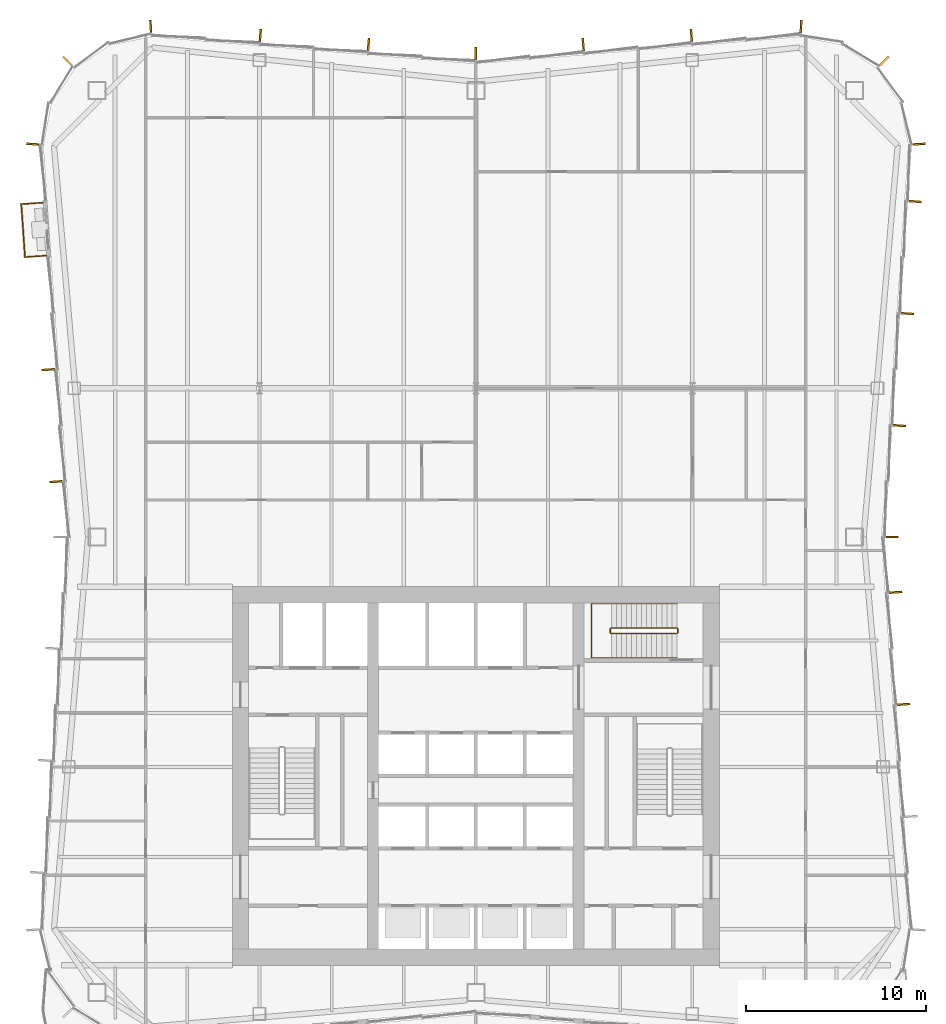
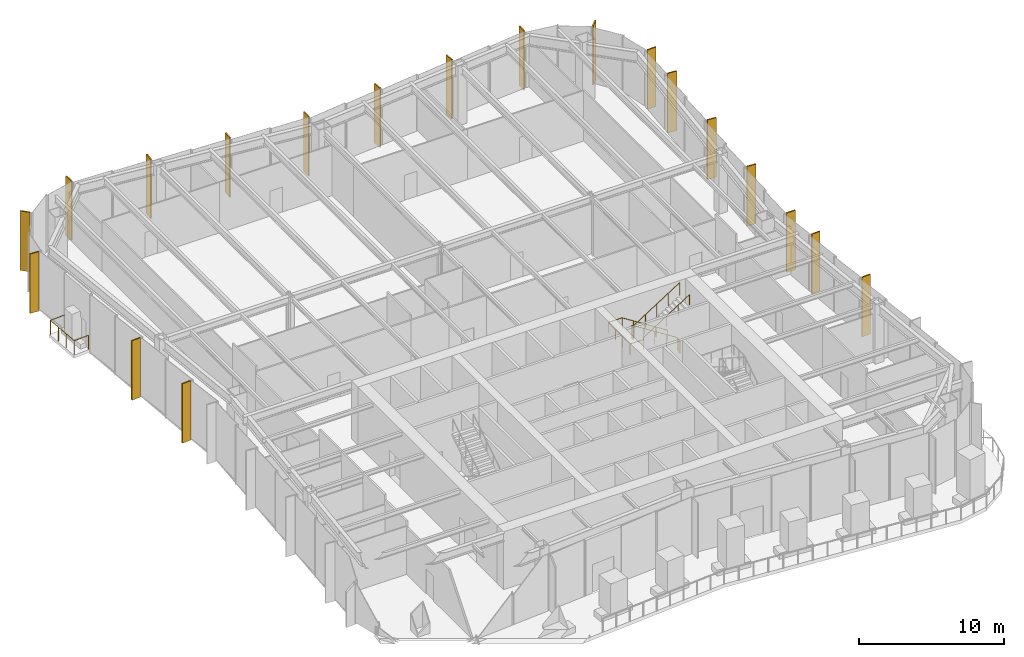
# One storey, part 14 of 16: 19 shading devices, 3 railings.
"""IFC4 building model written with IfcOpenShell, lengths in metres."""

from ifc_helpers import new_model, si_unit, direction, frame, origin, origin_2d, place, context, subcontext, project, spatial, rectangle, circle, extrude, material, layer, layer_set, type_object, element, save


model = new_model("IFC4")

# Units and contexts
model_context = context("Model", 3, precision=1e-05, world=origin(), true_north=direction((0.0, 1.0)))
body_context = subcontext(model_context, "Body", "Model", "MODEL_VIEW")
ifc_project = project(units=[si_unit("LENGTHUNIT", "METRE"), si_unit("AREAUNIT", "SQUARE_METRE"), si_unit("VOLUMEUNIT", "CUBIC_METRE"), si_unit("PLANEANGLEUNIT", "RADIAN"), si_unit("MASSUNIT", "GRAM", prefix="KILO")], contexts=[model_context])

# Site, building, storey
site_placement = place(None, origin())
site = spatial("IfcSite", under=ifc_project, at=site_placement, CompositionType="ELEMENT")
building_placement = place(site_placement, origin())
building = spatial("IfcBuilding", under=site, at=building_placement, Name="Verdant Reach Tower", CompositionType="ELEMENT")
storey_placement = place(building_placement, frame((0.0, 0.0, 177.0)))
storey = spatial("IfcBuildingStorey", under=building, at=storey_placement, Name="L40", CompositionType="ELEMENT", Elevation=177.0)

# Railings
ifc_material_1 = material(Name="Stainless steel", Category="steel")
railing_type_1 = type_object("IfcRailingType", Name="CO-GUARD", PredefinedType="GUARDRAIL", material=ifc_material_1)
railing_1_placement = place(storey_placement, frame((11.199951171875, 35.949951171875, 0.0)))
element("IfcRailing", 1, at=railing_1_placement, inside=storey, type_object=railing_type_1, Name="L40 ST-3 stair guard 1", PredefinedType="GUARDRAIL", context=body_context, shape_type="SweptSolid", body=[
    extrude(circle(Radius=0.02392578125, at=origin_2d()), frame((0.0, 0.0, 1.076171875), z_axis=(0.0, 1.0, 0.0), x_axis=(-1.0, 0.0, 0.0)), (0.0, 0.0, 1.0), 0.199951171875),
    extrude(circle(Radius=0.02392578125, at=origin_2d()), frame((0.0, 0.199951171875, 1.076171875), z_axis=(-0.260684529273, 0.260684529273, 0.929562882432), x_axis=(-0.707106781187, -0.707106781187, 0.0)), (0.0, 0.0, 1.0), 0.19189453125),
    extrude(circle(Radius=0.02392578125, at=origin_2d()), frame((-0.050048828125, 0.25, 1.25439453125), z_axis=(-0.843111507901, 0.0, 0.53773877045), x_axis=(0.0, -1.0, 0.0)), (0.0, 0.0, 1.0), 4.317138671875),
    extrude(circle(Radius=0.02392578125, at=origin_2d()), frame((-3.68994140625, 0.25, 3.576171875), z_axis=(-0.707106781187, -0.707106781187, 0.0), x_axis=(0.707106781187, -0.707106781187, 0.0)), (0.0, 0.0, 1.0), 0.07080078125),
    extrude(circle(Radius=0.02392578125, at=origin_2d()), frame((-3.739990234375, 0.199951171875, 3.576171875), z_axis=(0.0, -1.0, 0.0), x_axis=(1.0, 0.0, 0.0)), (0.0, 0.0, 1.0), 0.199951171875),
    extrude(circle(Radius=0.02392578125, at=origin_2d()), frame((-3.739990234375, 0.0, 3.576171875), z_axis=(0.260684529273, -0.260684529273, 0.929562882432), x_axis=(0.707106781187, 0.707106781187, 0.0)), (0.0, 0.0, 1.0), 0.19189453125),
    extrude(circle(Radius=0.02392578125, at=origin_2d()), frame((-3.68994140625, -0.050048828125, 3.75439453125), z_axis=(0.843111507901, 0.0, 0.53773877045), x_axis=(0.0, 1.0, 0.0)), (0.0, 0.0, 1.0), 4.317138671875),
    extrude(circle(Radius=0.02099609375, at=origin_2d()), origin(), (0.0, 0.0, 1.0), 1.052001953125),
    extrude(circle(Radius=0.02099609375, at=origin_2d()), frame((0.0, 0.199951171875, 0.0)), (0.0, 0.0, 1.0), 1.052001953125),
    extrude(circle(Radius=0.02099609375, at=origin_2d()), frame((-0.050048828125, 0.25, 0.178466796875)), (0.0, 0.0, 1.0), 1.052001953125),
    extrude(circle(Radius=0.02099609375, at=origin_2d()), frame((-0.9599609375, 0.25, 0.7587890625)), (0.0, 0.0, 1.0), 1.052001953125),
    extrude(circle(Radius=0.02099609375, at=origin_2d()), frame((-1.8701171875, 0.25, 1.33935546875)), (0.0, 0.0, 1.0), 1.052001953125),
    extrude(circle(Radius=0.02099609375, at=origin_2d()), frame((-2.780029296875, 0.25, 1.919677734375)), (0.0, 0.0, 1.0), 1.052001953125),
    extrude(circle(Radius=0.02099609375, at=origin_2d()), frame((-3.68994140625, 0.25, 2.5)), (0.0, 0.0, 1.0), 1.052001953125),
    extrude(circle(Radius=0.02099609375, at=origin_2d()), frame((-3.739990234375, 0.199951171875, 2.5)), (0.0, 0.0, 1.0), 1.052001953125),
    extrude(circle(Radius=0.02099609375, at=origin_2d()), frame((-3.739990234375, 0.0, 2.5)), (0.0, 0.0, 1.0), 1.052001953125),
    extrude(circle(Radius=0.02099609375, at=origin_2d()), frame((-3.68994140625, -0.050048828125, 2.678466796875)), (0.0, 0.0, 1.0), 1.052001953125),
    extrude(circle(Radius=0.02099609375, at=origin_2d()), frame((-2.780029296875, -0.050048828125, 3.2587890625)), (0.0, 0.0, 1.0), 1.052001953125),
    extrude(circle(Radius=0.02099609375, at=origin_2d()), frame((-1.8701171875, -0.050048828125, 3.83935546875)), (0.0, 0.0, 1.0), 1.052001953125),
    extrude(circle(Radius=0.02099609375, at=origin_2d()), frame((-0.9599609375, -0.050048828125, 4.419677734375)), (0.0, 0.0, 1.0), 1.052001953125),
    extrude(circle(Radius=0.02099609375, at=origin_2d()), frame((-0.050048828125, -0.050048828125, 5.0)), (0.0, 0.0, 1.0), 1.052001953125),
])
railing_type_2 = type_object("IfcRailingType", Name="CO-HANDRAIL", PredefinedType="HANDRAIL", material=ifc_material_1)
railing_2_placement = place(storey_placement, frame((11.14990234375, 37.550048828125, 0.178466796875)))
element("IfcRailing", 2, at=railing_2_placement, inside=storey, type_object=railing_type_2, Name="L40 ST-3 stair handrail 1", PredefinedType="HANDRAIL", context=body_context, shape_type="SweptSolid", body=[
    extrude(circle(Radius=0.02392578125, at=origin_2d()), frame((0.0, 0.0, 0.8759765625), z_axis=(-0.843111507901, 0.0, 0.53773877045), x_axis=(0.0, -1.0, 0.0)), (0.0, 0.0, 1.0), 4.317138671875),
    extrude(circle(Radius=0.02392578125, at=origin_2d()), frame((-3.639892578125, 0.0, 3.197265625), z_axis=(-1.0, 0.0, 0.0), x_axis=(0.0, -1.0, 0.0)), (0.0, 0.0, 1.0), 1.10009765625),
    extrude(circle(Radius=0.02392578125, at=origin_2d()), frame((-4.739990234375, 0.0, 3.197265625), z_axis=(0.0, -1.0, 0.0), x_axis=(1.0, 0.0, 0.0)), (0.0, 0.0, 1.0), 3.0),
    extrude(circle(Radius=0.02392578125, at=origin_2d()), frame((-4.739990234375, -3.0, 3.197265625), z_axis=(1.0, 0.0, 0.0), x_axis=(0.0, 1.0, 0.0)), (0.0, 0.0, 1.0), 1.10009765625),
    extrude(circle(Radius=0.02392578125, at=origin_2d()), frame((-3.639892578125, -3.0, 3.197265625), z_axis=(0.0, 0.0, 1.0), x_axis=(1.0, 0.0, 0.0)), (0.0, 0.0, 1.0), 0.178466796875),
    extrude(circle(Radius=0.02392578125, at=origin_2d()), frame((-3.639892578125, -3.0, 3.3759765625), z_axis=(0.843111507901, 0.0, 0.53773877045), x_axis=(0.0, 1.0, 0.0)), (0.0, 0.0, 1.0), 4.317138671875),
    extrude(circle(Radius=0.02099609375, at=origin_2d()), origin(), (0.0, 0.0, 1.0), 0.851806640625),
    extrude(circle(Radius=0.02099609375, at=origin_2d()), frame((-0.909912109375, 0.0, 0.580322265625)), (0.0, 0.0, 1.0), 0.851806640625),
    extrude(circle(Radius=0.02099609375, at=origin_2d()), frame((-1.81982421875, 0.0, 1.16064453125)), (0.0, 0.0, 1.0), 0.851806640625),
    extrude(circle(Radius=0.02099609375, at=origin_2d()), frame((-2.72998046875, 0.0, 1.7412109375)), (0.0, 0.0, 1.0), 0.851806640625),
    extrude(circle(Radius=0.02099609375, at=origin_2d()), frame((-3.639892578125, 0.0, 2.321533203125)), (0.0, 0.0, 1.0), 0.851806640625),
    extrude(circle(Radius=0.02099609375, at=origin_2d()), frame((-4.739990234375, 0.0, 2.321533203125)), (0.0, 0.0, 1.0), 0.851806640625),
    extrude(circle(Radius=0.02099609375, at=origin_2d()), frame((-4.739990234375, -1.0, 2.321533203125)), (0.0, 0.0, 1.0), 0.851806640625),
    extrude(circle(Radius=0.02099609375, at=origin_2d()), frame((-4.739990234375, -2.0, 2.321533203125)), (0.0, 0.0, 1.0), 0.851806640625),
    extrude(circle(Radius=0.02099609375, at=origin_2d()), frame((-4.739990234375, -3.0, 2.321533203125)), (0.0, 0.0, 1.0), 0.851806640625),
    extrude(circle(Radius=0.02099609375, at=origin_2d()), frame((-3.639892578125, -3.0, 2.321533203125)), (0.0, 0.0, 1.0), 0.851806640625),
    extrude(circle(Radius=0.02099609375, at=origin_2d()), frame((-3.639892578125, -3.0, 2.5)), (0.0, 0.0, 1.0), 0.851806640625),
    extrude(circle(Radius=0.02099609375, at=origin_2d()), frame((-2.72998046875, -3.0, 3.080322265625)), (0.0, 0.0, 1.0), 0.851806640625),
    extrude(circle(Radius=0.02099609375, at=origin_2d()), frame((-1.81982421875, -3.0, 3.66064453125)), (0.0, 0.0, 1.0), 0.851806640625),
    extrude(circle(Radius=0.02099609375, at=origin_2d()), frame((-0.909912109375, -3.0, 4.2412109375)), (0.0, 0.0, 1.0), 0.851806640625),
    extrude(circle(Radius=0.02099609375, at=origin_2d()), frame((0.0, -3.0, 4.821533203125)), (0.0, 0.0, 1.0), 0.851806640625),
])

# Shading devices
ifc_material_2 = material(Name="Bronze fin, champagne", Category="aluminium")
ifc_layer_1 = layer(ifc_material_2, 0.10009765625)
ifc_layer_set_1 = layer_set([ifc_layer_1], Name="EN-FIN CHAMPAGNE")
shading_device_type_1 = type_object("IfcShadingDeviceType", Name="EN-FIN CHAMPAGNE", PredefinedType="USERDEFINED", material=ifc_layer_set_1)
for number, where, z_axis, x_axis, name in (
    (3, (23.281005859375, 38.181884765625, -0.35009765625), (0.0, 0.0, 1.0), (-0.068802091615, 0.997630328423, 0.0), "Fin east face part 1 7, L40"),
    (4, (23.068115234375, 41.25, -0.35009765625), (0.0, 0.0, 1.0), (0.0, 1.0, 0.0), "Fin east face part 2 1, L40"),
    (5, (23.4951171875, 47.42529296875, -0.35009765625), (0.0, 0.0, 1.0), (0.068802091615, 0.997630328423, 0.0), "Fin east face part 2 3, L40"),
    (6, (24.56689453125, 63.0361328125, -0.35009765625), (0.0, 0.0, 1.0), (-0.063698618332, 0.997969180898, 0.0), "Fin north-east corner 1, L40"),
    (7, (5.952880859375, 68.56591796875, -0.35009765625), (0.0, 0.0, 1.0), (-0.996545758244, -0.083045479859, 0.0), "Fin north face part 1 5, L40"),
    (8, (0.0, 68.068115234375, -0.35009765625), (0.0, 0.0, 1.0), (-1.0, 0.0, 0.0), "Fin north face part 2 1, L40"),
    (9, (-23.70947265625, 50.532470703125, -0.35009765625), (0.0, 0.0, 1.0), (0.068802091615, -0.997630328423, 0.0), "Fin west face part 1 5, L40"),
):
    element("IfcShadingDevice", number, at=place(storey_placement, frame(where, z_axis=z_axis, x_axis=x_axis)), inside=storey, type_object=shading_device_type_1, Name=name, ObjectType="FIN", PredefinedType="USERDEFINED", context=body_context, shape_type="SweptSolid", body=[
        extrude(rectangle(XDim=0.10009765625, YDim=0.699951171875, at=origin_2d()), origin(), (0.0, 0.0, 1.0), 5.0),
    ])
ifc_material_3 = material(Name="Bronze fin, copper", Category="aluminium")
ifc_layer_2 = layer(ifc_material_3, 0.10009765625)
ifc_layer_set_2 = layer_set([ifc_layer_2], Name="EN-FIN COPPER")
shading_device_type_2 = type_object("IfcShadingDeviceType", Name="EN-FIN COPPER", PredefinedType="USERDEFINED", material=ifc_layer_set_2)
for number, where, z_axis, x_axis, name in (
    (10, (23.923828125, 53.639404296875, -0.35009765625), (0.0, 0.0, 1.0), (0.068802091615, 0.997630328423, 0.0), "Fin east face part 2 5, L40"),
    (11, (22.644287109375, 67.644287109375, -0.35009765625), (0.0, 0.0, 1.0), (-0.707106781187, 0.707106781187, 0.0), "Fin north-east corner 3, L40"),
    (12, (18.0322265625, 69.567138671875, -0.35009765625), (0.0, 0.0, 1.0), (-0.998398681387, 0.056569187765, 0.0), "Fin north face part 1 1, L40"),
    (13, (-5.952880859375, 68.56591796875, -0.35009765625), (0.0, 0.0, 1.0), (-0.996545758244, 0.083045479859, 0.0), "Fin north face part 2 3, L40"),
    (14, (-18.0322265625, 69.567138671875, -0.35009765625), (0.0, 0.0, 1.0), (-0.998398681387, -0.056569187765, 0.0), "Fin north-west corner 1, L40"),
    (15, (-23.281005859375, 44.318115234375, -0.35009765625), (0.0, 0.0, 1.0), (0.068802091615, -0.997630328423, 0.0), "Fin west face part 1 7, L40"),
):
    element("IfcShadingDevice", number, at=place(storey_placement, frame(where, z_axis=z_axis, x_axis=x_axis)), inside=storey, type_object=shading_device_type_2, Name=name, ObjectType="FIN", PredefinedType="USERDEFINED", context=body_context, shape_type="SweptSolid", body=[
        extrude(rectangle(XDim=0.10009765625, YDim=0.699951171875, at=origin_2d()), origin(), (0.0, 0.0, 1.0), 5.0),
    ])
ifc_material_4 = material(Name="Bronze fin, dark bronze", Category="aluminium")
ifc_layer_3 = layer(ifc_material_4, 0.10009765625)
ifc_layer_set_3 = layer_set([ifc_layer_3], Name="EN-FIN DARK")
shading_device_type_3 = type_object("IfcShadingDeviceType", Name="EN-FIN DARK", PredefinedType="USERDEFINED", material=ifc_layer_set_3)
for number, where, z_axis, x_axis, name in (
    (16, (23.70947265625, 31.967529296875, -0.35009765625), (0.0, 0.0, 1.0), (-0.068802091615, 0.997630328423, 0.0), "Fin east face part 1 5, L40"),
    (17, (24.352294921875, 59.853759765625, -0.35009765625), (0.0, 0.0, 1.0), (0.068802091615, 0.997630328423, 0.0), "Fin east face part 2 7, L40"),
    (18, (11.952880859375, 69.06591796875, -0.35009765625), (0.0, 0.0, 1.0), (-0.996545758244, -0.083045479859, 0.0), "Fin north face part 1 3, L40"),
    (19, (-11.952880859375, 69.06591796875, -0.35009765625), (0.0, 0.0, 1.0), (-0.996545758244, 0.083045479859, 0.0), "Fin north face part 2 5, L40"),
    (20, (-22.644287109375, 67.644287109375, -0.35009765625), (0.0, 0.0, 1.0), (-0.707106781187, -0.707106781187, 0.0), "Fin north-west corner 3, L40"),
    (21, (-24.56689453125, 63.0361328125, -0.35009765625), (0.0, 0.0, 1.0), (-0.063698618332, -0.997969180898, 0.0), "Fin west face part 1 1, L40"),
):
    element("IfcShadingDevice", number, at=place(storey_placement, frame(where, z_axis=z_axis, x_axis=x_axis)), inside=storey, type_object=shading_device_type_3, Name=name, ObjectType="FIN", PredefinedType="USERDEFINED", context=body_context, shape_type="SweptSolid", body=[
        extrude(rectangle(XDim=0.10009765625, YDim=0.699951171875, at=origin_2d()), origin(), (0.0, 0.0, 1.0), 5.0),
    ])

# Railing
ifc_material_5 = material(Name="Stainless steel and laminated glass balustrade", Category="steel")
railing_type_3 = type_object("IfcRailingType", Name="EN-RAILING BALCONY", PredefinedType="GUARDRAIL", material=ifc_material_5)
railing_3_placement = place(storey_placement, frame((-24.02734375, 59.79296875, 0.0)))
element("IfcRailing", 22, at=railing_3_placement, inside=storey, type_object=railing_type_3, Name="Balcony guard 1, L40", PredefinedType="GUARDRAIL", context=body_context, shape_type="SweptSolid", body=[
    extrude(circle(Radius=0.02490234375, at=origin_2d()), frame((0.0, 0.0, 1.1748046875), z_axis=(-0.997631794817, -0.068780825605, 0.0), x_axis=(0.068780825605, -0.997631794817, 0.0)), (0.0, 0.0, 1.0), 1.181884765625),
    extrude(circle(Radius=0.02490234375, at=origin_2d()), frame((-1.17919921875, -0.081298828125, 1.1748046875), z_axis=(0.068804933195, -0.997630132448, 0.0), x_axis=(0.997630132448, 0.068804933195, 0.0)), (0.0, 0.0, 1.0), 2.94873046875),
    extrude(circle(Radius=0.02490234375, at=origin_2d()), frame((-0.976318359375, -3.02294921875, 1.1748046875), z_axis=(0.99761760087, 0.068986393104, 0.0), x_axis=(-0.068986393104, 0.99761760087, 0.0)), (0.0, 0.0, 1.0), 1.18212890625),
    extrude(circle(Radius=0.02490234375, at=origin_2d()), origin(), (0.0, 0.0, 1.0), 1.14990234375),
    extrude(circle(Radius=0.02490234375, at=origin_2d()), frame((-1.17919921875, -0.081298828125, 0.0)), (0.0, 0.0, 1.0), 1.14990234375),
    extrude(circle(Radius=0.02490234375, at=origin_2d()), frame((-1.111572265625, -1.061767578125, 0.0)), (0.0, 0.0, 1.0), 1.14990234375),
    extrude(circle(Radius=0.02490234375, at=origin_2d()), frame((-1.0439453125, -2.04248046875, 0.0)), (0.0, 0.0, 1.0), 1.14990234375),
    extrude(circle(Radius=0.02490234375, at=origin_2d()), frame((-0.976318359375, -3.02294921875, 0.0)), (0.0, 0.0, 1.0), 1.14990234375),
    extrude(circle(Radius=0.02490234375, at=origin_2d()), frame((0.202880859375, -2.94140625, 0.0)), (0.0, 0.0, 1.0), 1.14990234375),
])

save(model, "model.ifc")
